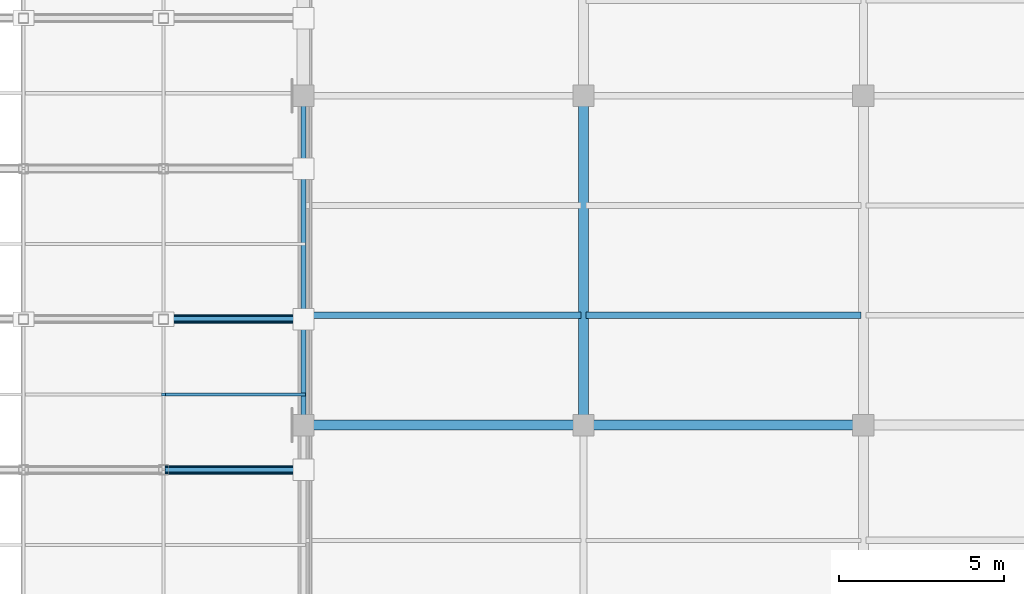
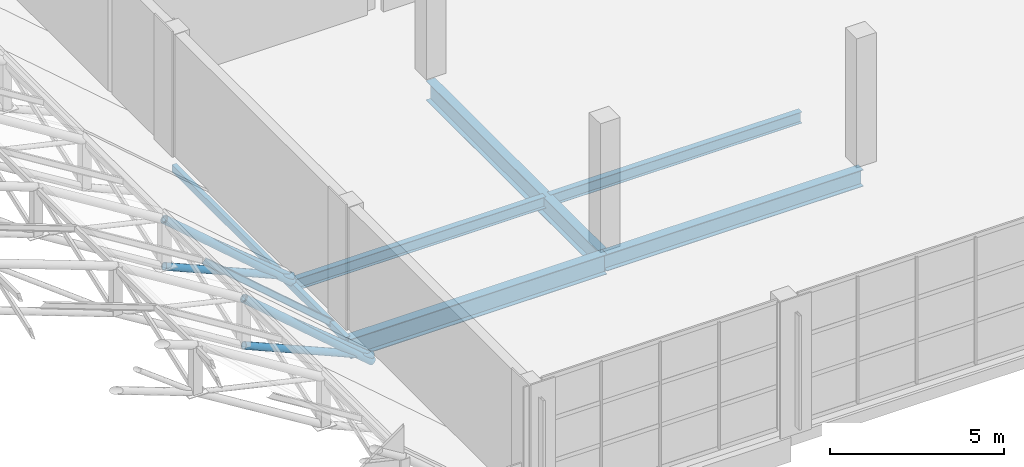
# One storey, part 20 of 86: 7 members, 6 beams.
"""IFC4 building model written with IfcOpenShell, lengths in metres."""

from ifc_helpers import new_model, si_unit, direction, frame, origin, origin_2d, place, context, subcontext, project, spatial, hollow_rectangle, hollow_circle, i_section, extrude, material, material_profile, profile_set, type_object, element, save


model = new_model("IFC4")

# Units and contexts
model_context = context("Model", 3, precision=1e-05, world=origin(), true_north=direction((0.0, 1.0)))
body_context = subcontext(model_context, "Body", "Model", "MODEL_VIEW")
ifc_project = project(units=[si_unit("LENGTHUNIT", "METRE"), si_unit("AREAUNIT", "SQUARE_METRE"), si_unit("VOLUMEUNIT", "CUBIC_METRE"), si_unit("PLANEANGLEUNIT", "RADIAN"), si_unit("MASSUNIT", "GRAM", prefix="KILO")], contexts=[model_context])

# Site, building, storey
site_placement = place(None, origin())
site = spatial("IfcSite", under=ifc_project, at=site_placement, CompositionType="ELEMENT")
building_placement = place(site_placement, origin())
building = spatial("IfcBuilding", under=site, at=building_placement, Name="Solvikara Media Centre", CompositionType="ELEMENT")
storey_placement = place(building_placement, frame((0.0, 0.0, 15.0)))
storey = spatial("IfcBuildingStorey", under=building, at=storey_placement, Name="L03", CompositionType="ELEMENT", Elevation=15.0)

# Beams
ifc_material = material(Name="Steel S355JR", Category="steel")
ifc_material_profile_1 = material_profile(ifc_material, i_section(OverallWidth=0.199951171875, OverallDepth=0.39990234375, WebThickness=0.008056640625, FlangeThickness=0.012939453125, at=origin_2d()), Name="WF 400x200x8x13")
ifc_profile_set_1 = profile_set([ifc_material_profile_1], Name="Steel S355JR")
beam_type_1 = type_object("IfcBeamType", Name="BM-21", PredefinedType="JOIST", material=ifc_profile_set_1)
beam_1_placement = place(storey_placement, frame((34.077880859375, 13.8330078125, -0.48193359375), z_axis=(1.0, 0.0, 0.0), x_axis=(0.0, 1.0, 0.0)))
element("IfcBeam", 1, at=beam_1_placement, inside=storey, type_object=beam_type_1, Name="J-L03-1377", PredefinedType="JOIST", context=body_context, shape_type="SweptSolid", body=[
    extrude(i_section(OverallWidth=0.199951171875, OverallDepth=0.39990234375, WebThickness=0.008056640625, FlangeThickness=0.012939453125, at=origin_2d()), origin(), (0.0, 0.0, 1.0), 8.34423828125),
])
ifc_material_profile_2 = material_profile(ifc_material, i_section(OverallWidth=0.300048828125, OverallDepth=0.69189453125, WebThickness=0.012939453125, FlangeThickness=0.02001953125, at=origin_2d()), Name="H 692x300x13x20")
ifc_profile_set_2 = profile_set([ifc_material_profile_2], Name="Steel S355JR")
beam_type_2 = type_object("IfcBeamType", Name="BM-25", PredefinedType="BEAM", material=ifc_profile_set_2)
beam_2_placement = place(storey_placement, frame((34.0, 10.5, -0.6279296875), z_axis=(1.0, 0.0, 0.0), x_axis=(0.0, 1.0, 0.0)))
element("IfcBeam", 2, at=beam_2_placement, inside=storey, type_object=beam_type_2, Name="B-L03-X1167", PredefinedType="BEAM", context=body_context, shape_type="SweptSolid", body=[
    extrude(i_section(OverallWidth=0.300048828125, OverallDepth=0.69189453125, WebThickness=0.012939453125, FlangeThickness=0.02001953125, at=origin_2d()), origin(), (0.0, 0.0, 1.0), 8.5),
])
beam_3_placement = place(storey_placement, frame((42.5, 10.5, -0.6279296875), z_axis=(0.0, 1.0, 0.0), x_axis=(-1.0, 0.0, 0.0)))
element("IfcBeam", 3, at=beam_3_placement, inside=storey, type_object=beam_type_2, Name="B-L03-Y1265", PredefinedType="BEAM", context=body_context, shape_type="SweptSolid", body=[
    extrude(i_section(OverallWidth=0.300048828125, OverallDepth=0.69189453125, WebThickness=0.012939453125, FlangeThickness=0.02001953125, at=origin_2d()), origin(), (0.0, 0.0, 1.0), 10.0),
])
ifc_material_profile_3 = material_profile(ifc_material, i_section(OverallWidth=0.300048828125, OverallDepth=0.587890625, WebThickness=0.011962890625, FlangeThickness=0.02001953125, at=origin_2d()), Name="H 588x300x12x20")
ifc_profile_set_3 = profile_set([ifc_material_profile_3], Name="Steel S355JR")
beam_type_3 = type_object("IfcBeamType", Name="BM-26", PredefinedType="BEAM", material=ifc_profile_set_3)
beam_4_placement = place(storey_placement, frame((42.5, 10.5, -0.575927734375), z_axis=(1.0, 0.0, 0.0), x_axis=(0.0, 1.0, 0.0)))
element("IfcBeam", 4, at=beam_4_placement, inside=storey, type_object=beam_type_3, Name="B-L03-X1168", PredefinedType="BEAM", context=body_context, shape_type="SweptSolid", body=[
    extrude(i_section(OverallWidth=0.300048828125, OverallDepth=0.587890625, WebThickness=0.011962890625, FlangeThickness=0.02001953125, at=origin_2d()), origin(), (0.0, 0.0, 1.0), 8.5),
])
ifc_material_profile_4 = material_profile(ifc_material, hollow_rectangle(XDim=0.14990234375, YDim=0.25, WallThickness=0.008056640625, at=origin_2d()), Name="RHS 250x150x8")
ifc_profile_set_4 = profile_set([ifc_material_profile_4], Name="Steel S355JR")
beam_type_4 = type_object("IfcBeamType", Name="BM-36", PredefinedType="JOIST", material=ifc_profile_set_4)
beam_5_placement = place(storey_placement, frame((34.0, 10.5, -0.406982421875), z_axis=(0.0, 1.0, 0.0), x_axis=(-1.0, 0.0, 0.0)))
element("IfcBeam", 5, at=beam_5_placement, inside=storey, type_object=beam_type_4, Name="B-L03-Y1254", PredefinedType="JOIST", context=body_context, shape_type="SweptSolid", body=[
    extrude(hollow_rectangle(XDim=0.14990234375, YDim=0.25, WallThickness=0.008056640625, at=origin_2d()), origin(), (0.0, 0.0, 1.0), 10.0),
])
ifc_material_profile_5 = material_profile(ifc_material, i_section(OverallWidth=0.198974609375, OverallDepth=0.39599609375, WebThickness=0.007080078125, FlangeThickness=0.010986328125, at=origin_2d()), Name="WF 396x199x7x11")
ifc_profile_set_5 = profile_set([ifc_material_profile_5], Name="Steel S355JR")
beam_type_5 = type_object("IfcBeamType", Name="BM-37", PredefinedType="JOIST", material=ifc_profile_set_5)
beam_6_placement = place(storey_placement, frame((42.577880859375, 13.8330078125, -0.47998046875), z_axis=(1.0, 0.0, 0.0), x_axis=(0.0, 1.0, 0.0)))
element("IfcBeam", 6, at=beam_6_placement, inside=storey, type_object=beam_type_5, Name="J-L03-1381", PredefinedType="JOIST", context=body_context, shape_type="SweptSolid", body=[
    extrude(i_section(OverallWidth=0.198974609375, OverallDepth=0.39599609375, WebThickness=0.007080078125, FlangeThickness=0.010986328125, at=origin_2d()), origin(), (0.0, 0.0, 1.0), 8.34423828125),
])

# Members
ifc_material_profile_6 = material_profile(ifc_material, hollow_circle(Radius=0.136474609375, WallThickness=0.010009765625, at=origin_2d()), Name="CHS 273x10")
ifc_profile_set_6 = profile_set([ifc_material_profile_6], Name="Steel S355JR")
member_type_1 = type_object("IfcMemberType", Name="MB-03", PredefinedType="CHORD", material=ifc_profile_set_6)
for number, where, z_axis, x_axis, name in (
    (7, (29.75, 9.14306640625, 3.3798828125), (0.756439869263, 0.0, -0.654063241736), (0.0, 1.0, 0.0), "Space Frame Vault Chord GC-TC-02-07"),
    (8, (29.75, 13.714111328125, 3.3798828125), (0.756439869263, 0.0, -0.654063241736), (0.0, 1.0, 0.0), "Space Frame Vault Chord GC-TC-03-07"),
):
    element("IfcMember", number, at=place(storey_placement, frame(where, z_axis=z_axis, x_axis=x_axis)), inside=storey, type_object=member_type_1, Name=name, PredefinedType="CHORD", context=body_context, shape_type="SweptSolid", body=[
        extrude(hollow_circle(Radius=0.136474609375, WallThickness=0.010009765625, at=origin_2d()), origin(), (0.0, 0.0, 1.0), 5.618408203125),
    ])
ifc_material_profile_7 = material_profile(ifc_material, hollow_circle(Radius=0.122314453125, WallThickness=0.010009765625, at=origin_2d()), Name="CHS 244.5x10")
ifc_profile_set_7 = profile_set([ifc_material_profile_7], Name="Steel S355JR")
member_type_2 = type_object("IfcMemberType", Name="MB-04", PredefinedType="CHORD", material=ifc_profile_set_7)
for number, where, z_axis, x_axis, name in (
    (9, (29.75, 9.14306640625, 1.72998046875), (0.918466874624, 0.0, -0.395497914303), (0.0, 1.0, 0.0), "GC-BC-02-07"),
    (10, (29.75, 13.714111328125, 1.72998046875), (0.918466874624, 0.0, -0.395497914303), (0.0, 1.0, 0.0), "GC-BC-03-07"),
):
    element("IfcMember", number, at=place(storey_placement, frame(where, z_axis=z_axis, x_axis=x_axis)), inside=storey, type_object=member_type_2, Name=name, PredefinedType="CHORD", context=body_context, shape_type="SweptSolid", body=[
        extrude(hollow_circle(Radius=0.122314453125, WallThickness=0.010009765625, at=origin_2d()), origin(), (0.0, 0.0, 1.0), 4.627197265625),
    ])
ifc_material_profile_8 = material_profile(ifc_material, hollow_circle(Radius=0.084228515625, WallThickness=0.007080078125, at=origin_2d()), Name="CHS 168.3x7.1")
ifc_profile_set_8 = profile_set([ifc_material_profile_8], Name="Steel S355JR")
member_type_3 = type_object("IfcMemberType", Name="MB-07", PredefinedType="BRACE", material=ifc_profile_set_8)
for number, where, z_axis, x_axis, name in (
    (11, (29.75, 9.14306640625, 3.3798828125), (0.773715650361, 0.0, -0.633533023911), (0.0, 1.0, 0.0), "GC-DG-02-07"),
    (12, (29.75, 13.714111328125, 3.3798828125), (0.773715650361, 0.0, -0.633533023911), (0.0, 1.0, 0.0), "GC-DG-03-07"),
):
    element("IfcMember", number, at=place(storey_placement, frame(where, z_axis=z_axis, x_axis=x_axis)), inside=storey, type_object=member_type_3, Name=name, PredefinedType="BRACE", context=body_context, shape_type="SweptSolid", body=[
        extrude(hollow_circle(Radius=0.084228515625, WallThickness=0.007080078125, at=origin_2d()), origin(), (0.0, 0.0, 1.0), 5.492919921875),
    ])
ifc_material_profile_9 = material_profile(ifc_material, i_section(OverallWidth=0.10009765625, OverallDepth=0.199951171875, WebThickness=0.005615234375, FlangeThickness=0.008056640625, at=origin_2d()), Name="WF 200x100x5.5x8")
ifc_profile_set_9 = profile_set([ifc_material_profile_9], Name="Steel S355JR")
member_type_4 = type_object("IfcMemberType", Name="MB-21", PredefinedType="PURLIN", material=ifc_profile_set_9)
member_placement = place(storey_placement, frame((29.75, 11.427978515625, 3.31494140625), z_axis=(0.756418370394, 0.0, -0.654088104868), x_axis=(0.0, 1.0, 0.0)))
element("IfcMember", 13, at=member_placement, inside=storey, type_object=member_type_4, Name="GC-SUB-02-07", PredefinedType="PURLIN", context=body_context, shape_type="SweptSolid", body=[
    extrude(i_section(OverallWidth=0.10009765625, OverallDepth=0.199951171875, WebThickness=0.005615234375, FlangeThickness=0.008056640625, at=origin_2d()), origin(), (0.0, 0.0, 1.0), 5.61865234375),
])

save(model, "model.ifc")
